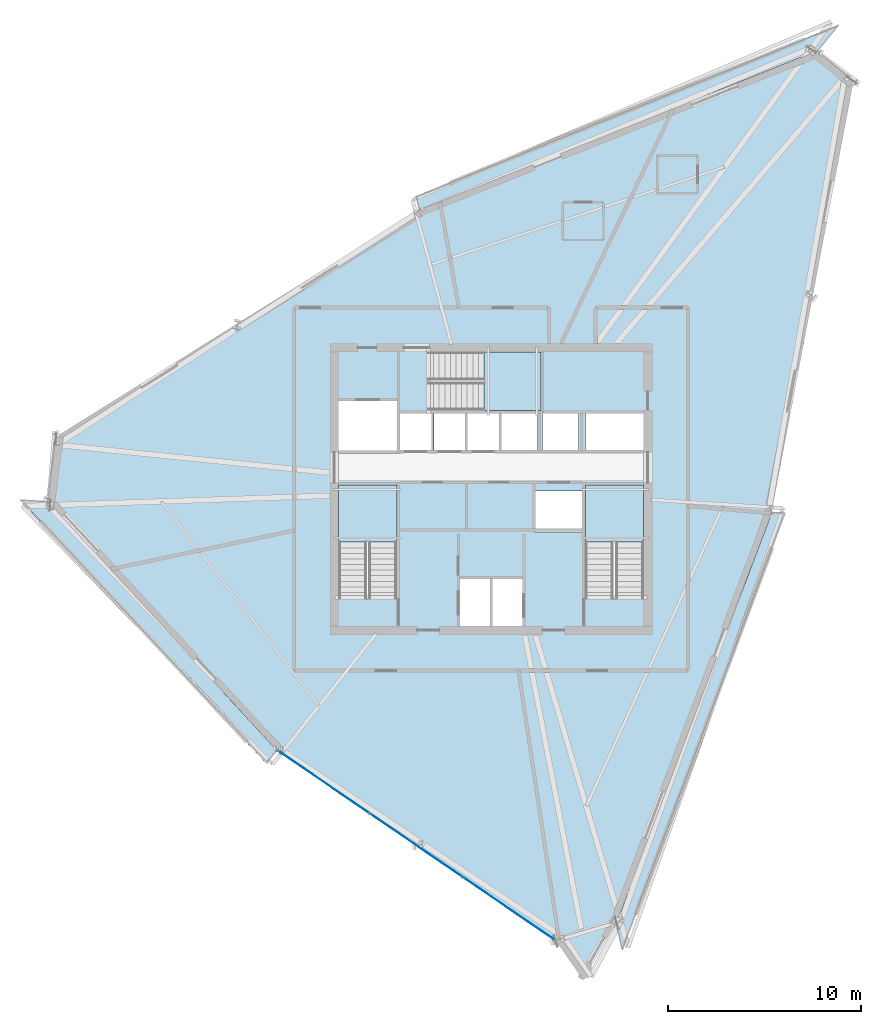
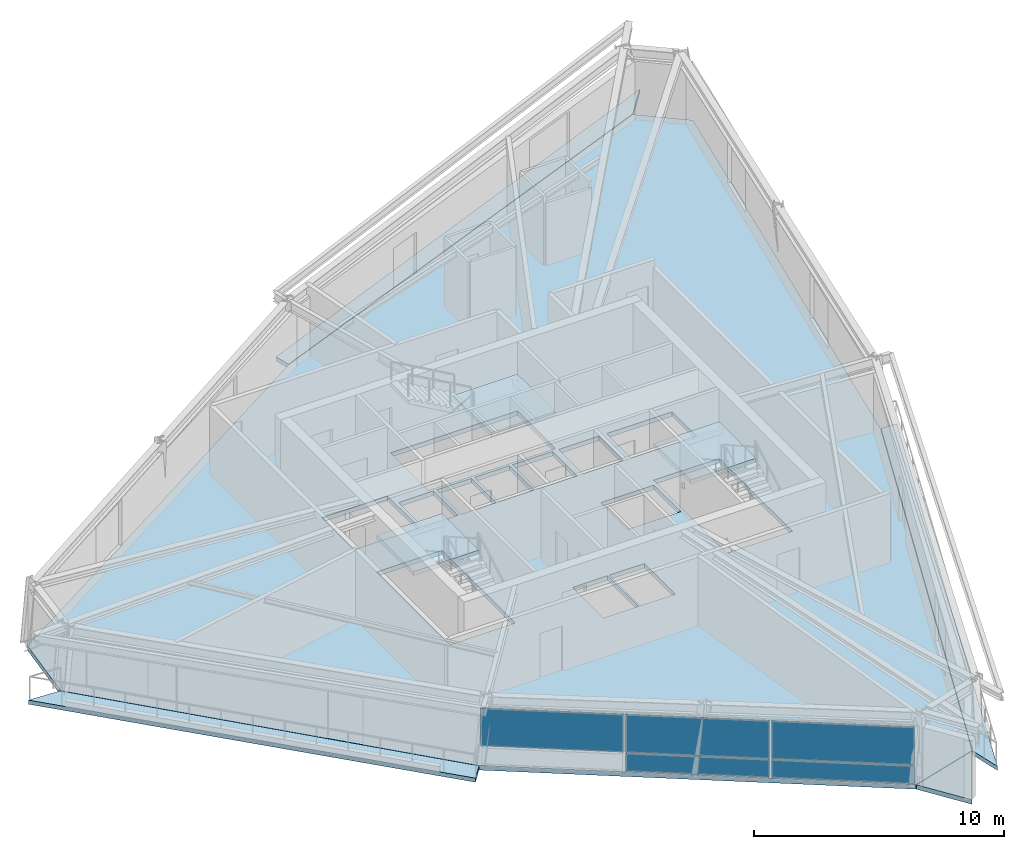
# One storey, part 5 of 13: 8 slabs, 5 plates, 4 elements without a shape of their own.
"""IFC4 building model written with IfcOpenShell, lengths in metres."""

from ifc_helpers import new_model, si_unit, direction, frame, origin, origin_2d, place, context, subcontext, project, spatial, polyline, rectangle, outline, extrude, source, transform, mapped, material, layer, layer_set, type_object, element, aggregate, save


model = new_model("IFC4")

# Units and contexts
model_context = context("Model", 3, precision=1e-05, world=origin(), true_north=direction((0.0, 1.0)))
body_context = subcontext(model_context, "Body", "Model", "MODEL_VIEW")
ifc_project = project(units=[si_unit("LENGTHUNIT", "METRE"), si_unit("AREAUNIT", "SQUARE_METRE"), si_unit("VOLUMEUNIT", "CUBIC_METRE"), si_unit("PLANEANGLEUNIT", "RADIAN"), si_unit("MASSUNIT", "GRAM", prefix="KILO")], contexts=[model_context])

# Site, building, storey
site_placement = place(None, origin())
site = spatial("IfcSite", under=ifc_project, at=site_placement, CompositionType="ELEMENT")
building_placement = place(site_placement, origin())
building = spatial("IfcBuilding", under=site, at=building_placement, Name="Olszyna Solenne Hotel", CompositionType="ELEMENT")
storey_placement = place(building_placement, frame((0.0, 0.0, 241.699951171875)))
storey = spatial("IfcBuildingStorey", under=building, at=storey_placement, Name="L64", CompositionType="ELEMENT", Elevation=241.699951171875)

# Stair, slab
ifc_material_1 = material(Name="Concrete C40/50", Category="concrete")
stair_type = type_object("IfcStairType", Name="STR-C1", PredefinedType="TWO_QUARTER_WINDING_STAIR", material=ifc_material_1)
stair_1_placement = place(storey_placement, origin())
stair_1 = element("IfcStair", 1, at=stair_1_placement, inside=storey, type_object=stair_type, Name="L64 ST1", PredefinedType="TWO_QUARTER_WINDING_STAIR")
ifc_layer_1 = layer(ifc_material_1, 0.18994140625, Name="Concrete C40/50")
ifc_layer_set_1 = layer_set([ifc_layer_1], Name="Concrete C40/50")
slab_type_1 = type_object("IfcSlabType", Name="SL-LN190", PredefinedType="LANDING", material=ifc_layer_set_1)
slab_1_placement = place(storey_placement, frame((0.0, 0.0, 1.60009765625)))
slab_1 = element("IfcSlab", 2, at=slab_1_placement, type_object=slab_type_1, Name="ST1 landing 1", PredefinedType="LANDING", context=body_context, shape_type="SweptSolid", body=[
    extrude(outline(polyline([(33.1201171875, 23.85009765625), (33.1201171875, 26.800048828125), (30.10009765625, 26.800048828125), (30.10009765625, 23.85009765625), (33.1201171875, 23.85009765625)])), origin(), (0.0, 0.0, 1.0), 0.199951171875),
])
aggregate(stair_1, [slab_1])

stair_2_placement = place(storey_placement, origin())
stair_2 = element("IfcStair", 3, at=stair_2_placement, inside=storey, type_object=stair_type, Name="L64 ST2", PredefinedType="TWO_QUARTER_WINDING_STAIR")
slab_2_placement = place(storey_placement, frame((0.0, 0.0, 1.60009765625)))
slab_2 = element("IfcSlab", 4, at=slab_2_placement, type_object=slab_type_1, Name="ST2 landing 1", PredefinedType="LANDING", context=body_context, shape_type="SweptSolid", body=[
    extrude(outline(polyline([(45.89990234375, 23.85009765625), (45.89990234375, 26.800048828125), (42.8798828125, 26.800048828125), (42.8798828125, 23.85009765625), (45.89990234375, 23.85009765625)])), origin(), (0.0, 0.0, 1.0), 0.199951171875),
])
aggregate(stair_2, [slab_2])

stair_3_placement = place(storey_placement, origin())
stair_3 = element("IfcStair", 5, at=stair_3_placement, inside=storey, type_object=stair_type, Name="L64 ST3", PredefinedType="TWO_QUARTER_WINDING_STAIR")
slab_3_placement = place(storey_placement, frame((0.0, 0.0, 1.60009765625)))
slab_3 = element("IfcSlab", 6, at=slab_3_placement, type_object=slab_type_1, Name="ST3 landing 1", PredefinedType="LANDING", context=body_context, shape_type="SweptSolid", body=[
    extrude(outline(polyline([(37.6298828125, 30.679931640625), (40.580078125, 30.679931640625), (40.580078125, 33.699951171875), (37.6298828125, 33.699951171875), (37.6298828125, 30.679931640625)])), origin(), (0.0, 0.0, 1.0), 0.199951171875),
])
aggregate(stair_3, [slab_3])

# Slabs
ifc_material_2 = material(Name="Precast concrete C45/55", Category="concrete")
ifc_layer_2 = layer(ifc_material_2, 0.199951171875, Name="Precast concrete C45/55")
ifc_layer_set_2 = layer_set([ifc_layer_2], Name="Precast concrete C45/55")
slab_type_2 = type_object("IfcSlabType", Name="SL-LOG200", PredefinedType="FLOOR", material=ifc_layer_set_2)
slab_4_placement = place(storey_placement, frame((0.0, 0.0, -0.199951171875)))
element("IfcSlab", 7, at=slab_4_placement, inside=storey, type_object=slab_type_2, Name="Exterior loggia balcony slab SL-L64-LG1", PredefinedType="FLOOR", context=body_context, shape_type="SweptSolid", body=[
    extrude(outline(polyline([(34.275634765625, 41.07373046875), (54.88330078125, 49.29248046875), (54.884521484375, 49.29296875), (54.885986328125, 49.293212890625), (54.887451171875, 49.29345703125), (54.888916015625, 49.293701171875), (54.890380859375, 49.29345703125), (54.891845703125, 49.293212890625), (54.893310546875, 49.29296875), (54.89453125, 49.29248046875), (54.89599609375, 49.291748046875), (54.897216796875, 49.291015625), (54.898193359375, 49.290283203125), (56.013916015625, 50.6591796875), (34.11669921875, 41.78759765625), (34.275634765625, 41.07373046875)])), origin(), (0.0, 0.0, 1.0), 0.199951171875),
])
slab_5_placement = place(storey_placement, frame((0.0, 0.0, -0.199951171875)))
element("IfcSlab", 8, at=slab_5_placement, inside=storey, type_object=slab_type_2, Name="Exterior loggia balcony slab SL-L64-LG2", PredefinedType="FLOOR", context=body_context, shape_type="SweptSolid", body=[
    extrude(outline(polyline([(26.897216796875, 13.0673828125), (26.896728515625, 13.067626953125), (26.8955078125, 13.06884765625), (15.031005859375, 25.9404296875), (15.02978515625, 25.94140625), (15.029052734375, 25.942626953125), (15.0283203125, 25.944091796875), (15.02783203125, 25.9453125), (15.02734375, 25.94677734375), (15.027099609375, 25.947998046875), (15.02685546875, 25.949462890625), (15.02685546875, 25.950927734375), (15.02685546875, 25.951416015625), (13.59228515625, 26.02734375), (26.343994140625, 12.388671875), (26.897216796875, 13.0673828125)])), origin(), (0.0, 0.0, 1.0), 0.199951171875),
])
slab_6_placement = place(storey_placement, frame((0.0, 0.0, -0.199951171875)))
element("IfcSlab", 9, at=slab_6_placement, inside=storey, type_object=slab_type_2, Name="Exterior loggia balcony slab SL-L64-LG3", PredefinedType="FLOOR", context=body_context, shape_type="SweptSolid", body=[
    extrude(outline(polyline([(52.54638671875, 25.39306640625), (52.5458984375, 25.39111328125), (52.545654296875, 25.389892578125), (52.545166015625, 25.388671875), (44.495849609375, 4.1298828125), (44.49560546875, 4.128662109375), (44.494873046875, 4.127685546875), (44.48681640625, 4.113525390625), (44.806640625, 2.677490234375), (53.256103515625, 25.35546875), (52.54638671875, 25.39306640625)])), origin(), (0.0, 0.0, 1.0), 0.199951171875),
])
ifc_material_3 = material(Name="Concrete C50/60", Category="concrete")
ifc_layer_3 = layer(ifc_material_3, 0.219970703125, Name="Concrete C50/60")
ifc_layer_set_3 = layer_set([ifc_layer_3], Name="Concrete C50/60")
slab_type_3 = type_object("IfcSlabType", Name="SL-TW225", PredefinedType="FLOOR", material=ifc_layer_set_3)
slab_7_placement = place(storey_placement, frame((0.0, 0.0, -0.219970703125)))
element("IfcSlab", 10, at=slab_7_placement, inside=storey, type_object=slab_type_3, Name="Floor slab SL-TW225 SL-L64-01", PredefinedType="FLOOR", context=body_context, shape_type="SweptSolid", body=[
    extrude(outline(polyline([(56.776123046875, 47.7255859375), (54.888916015625, 49.278564453125), (34.279052734375, 41.058837890625), (15.45458984375, 29.312744140625), (15.0419921875, 25.95068359375), (26.906494140625, 13.0791015625), (41.356689453125, 3.197509765625), (44.48193359375, 4.135009765625), (52.53125, 25.393798828125), (56.776123046875, 47.7255859375)]), holes=[polyline([(30.10009765625, 20.949951171875), (33.1201171875, 20.949951171875), (33.1201171875, 26.800048828125), (30.10009765625, 26.800048828125), (30.10009765625, 20.949951171875)]), polyline([(42.8798828125, 20.949951171875), (45.89990234375, 20.949951171875), (45.89990234375, 26.800048828125), (42.8798828125, 26.800048828125), (42.8798828125, 20.949951171875)]), polyline([(34.72998046875, 30.679931640625), (40.580078125, 30.679931640625), (40.580078125, 33.699951171875), (34.72998046875, 33.699951171875), (34.72998046875, 30.679931640625)]), polyline([(36.340087890625, 19.5), (37.9599609375, 19.5), (37.9599609375, 21.9599609375), (36.340087890625, 21.9599609375), (36.340087890625, 19.5)]), polyline([(38.0400390625, 19.5), (39.659912109375, 19.5), (39.659912109375, 21.9599609375), (38.0400390625, 21.9599609375), (38.0400390625, 19.5)]), polyline([(30.10009765625, 28.60009765625), (33.1201171875, 28.60009765625), (33.1201171875, 31.159912109375), (30.10009765625, 31.159912109375), (30.10009765625, 28.60009765625)]), polyline([(40.280029296875, 24.360107421875), (42.719970703125, 24.360107421875), (42.719970703125, 26.5), (40.280029296875, 26.5), (40.280029296875, 24.360107421875)]), polyline([(33.280029296875, 28.60009765625), (34.89990234375, 28.60009765625), (34.89990234375, 30.550048828125), (33.280029296875, 30.550048828125), (33.280029296875, 28.60009765625)]), polyline([(35.030029296875, 28.60009765625), (36.64990234375, 28.60009765625), (36.64990234375, 30.550048828125), (35.030029296875, 30.550048828125), (35.030029296875, 28.60009765625)]), polyline([(36.780029296875, 28.60009765625), (38.39990234375, 28.60009765625), (38.39990234375, 30.550048828125), (36.780029296875, 30.550048828125), (36.780029296875, 28.60009765625)]), polyline([(38.530029296875, 28.60009765625), (40.389892578125, 28.60009765625), (40.389892578125, 30.550048828125), (38.530029296875, 30.550048828125), (38.530029296875, 28.60009765625)]), polyline([(40.659912109375, 28.60009765625), (42.52001953125, 28.60009765625), (42.52001953125, 30.550048828125), (40.659912109375, 30.550048828125), (40.659912109375, 28.60009765625)]), polyline([(42.8798828125, 28.60009765625), (45.89990234375, 28.60009765625), (45.89990234375, 30.550048828125), (42.8798828125, 30.550048828125), (42.8798828125, 28.60009765625)])]), origin(), (0.0, 0.0, 1.0), 0.219970703125),
])
slab_8_placement = place(storey_placement, frame((0.0, 0.0, -0.219970703125)))
element("IfcSlab", 11, at=slab_8_placement, inside=storey, type_object=slab_type_3, Name="Faceted glass-prism floor slab SL-L64-PR", PredefinedType="FLOOR", context=body_context, shape_type="SweptSolid", body=[
    extrude(outline(polyline([(44.474609375, 4.12255859375), (41.362548828125, 3.188720703125), (42.76513671875, 1.16650390625), (44.474609375, 4.12255859375)])), origin(), (0.0, 0.0, 1.0), 0.219970703125),
])

# Curtain wall, plates
ifc_material_4 = material(Name="Anodised bronze aluminium", Category="aluminium")
curtain_wall_type = type_object("IfcCurtainWallType", Name="CW-SYS-4", PredefinedType="NOTDEFINED", material=ifc_material_4)
curtain_wall_placement = place(storey_placement, origin())
curtain_wall = element("IfcCurtainWall", 12, at=curtain_wall_placement, inside=storey, type_object=curtain_wall_type, Name="Unitised curtain wall CW-SYS-4 CW-L64-01", PredefinedType="NOTDEFINED")
ifc_material_5 = material(Name="Terracotta cladding", Category="masonry")
plate_type_1 = type_object("IfcPlateType", Name="PN-SP1", PredefinedType="CURTAIN_PANEL", material=ifc_material_5)
shared_shape_1 = source(origin(), body_context, "Body", "SweptSolid", [
    extrude(rectangle(XDim=5.73779296875, YDim=0.035888671875, at=origin_2d()), origin(), (0.0, 0.0, 1.0), 0.8525390625),
])
plate_1_placement = place(storey_placement, frame((38.934814453125, 4.853515625, 0.06494140625), z_axis=(0.0, 0.0, 1.0), x_axis=(0.825446791898, -0.564479932101, 0.0)))
plate_1 = element("IfcPlate", 13, at=plate_1_placement, type_object=plate_type_1, Name="Curtain-wall panel PN-SP1 CP-L64-01-05", PredefinedType="CURTAIN_PANEL", context=body_context, shape_type="MappedRepresentation", body=[
    mapped(shared_shape_1, transform((0.0, 0.0, 0.0), x_axis=(1.0, 0.0, 0.0), y_axis=(0.0, 1.0, 0.0), z_axis=(0.0, 0.0, 1.0), scale=1.0)),
])
ifc_material_6 = material(Name="Low-E triple glazing", Category="glass")
plate_type_2 = type_object("IfcPlateType", Name="PN-GL1", PredefinedType="CURTAIN_PANEL", material=ifc_material_6)
shared_shape_2 = source(origin(), body_context, "Body", "SweptSolid", [
    extrude(rectangle(XDim=5.73779296875, YDim=0.035888671875, at=origin_2d()), origin(), (0.0, 0.0, 1.0), 1.824462890625),
])
plate_2_placement = place(storey_placement, frame((29.328369140625, 11.4228515625, 0.982421875), z_axis=(0.0, 0.0, 1.0), x_axis=(0.825446791898, -0.564479932101, 0.0)))
plate_2 = element("IfcPlate", 14, at=plate_2_placement, type_object=plate_type_2, Name="Curtain-wall panel PN-GL1 CP-L64-01-02", PredefinedType="CURTAIN_PANEL", context=body_context, shape_type="MappedRepresentation", body=[
    mapped(shared_shape_2, transform((0.0, 0.0, 0.0), x_axis=(1.0, 0.0, 0.0), y_axis=(0.0, 1.0, 0.0), z_axis=(0.0, 0.0, 1.0), scale=1.0)),
])
plate_3_placement = place(storey_placement, frame((38.934814453125, 4.853515625, 0.982421875), z_axis=(0.0, 0.0, 1.0), x_axis=(0.825446791898, -0.564479932101, 0.0)))
plate_3 = element("IfcPlate", 15, at=plate_3_placement, type_object=plate_type_2, Name="Curtain-wall panel PN-GL1 CP-L64-01-06", PredefinedType="CURTAIN_PANEL", context=body_context, shape_type="MappedRepresentation", body=[
    mapped(shared_shape_2, transform((0.0, 0.0, 0.0), x_axis=(1.0, 0.0, 0.0), y_axis=(0.0, 1.0, 0.0), z_axis=(0.0, 0.0, 1.0), scale=1.0)),
])
shared_shape_3 = source(origin(), body_context, "Body", "SweptSolid", [
    extrude(rectangle(XDim=5.770263671875, YDim=0.035888671875, at=origin_2d()), origin(), (0.0, 0.0, 1.0), 0.8525390625),
])
plate_4_placement = place(storey_placement, frame((34.131591796875, 8.13818359375, 0.06494140625), z_axis=(0.0, 0.0, 1.0), x_axis=(0.825446791898, -0.564479932101, 0.0)))
plate_4 = element("IfcPlate", 16, at=plate_4_placement, type_object=plate_type_1, Name="Curtain-wall panel PN-SP1 CP-L64-01-03", PredefinedType="CURTAIN_PANEL", context=body_context, shape_type="MappedRepresentation", body=[
    mapped(shared_shape_3, transform((0.0, 0.0, 0.0), x_axis=(1.0, 0.0, 0.0), y_axis=(0.0, 1.0, 0.0), z_axis=(0.0, 0.0, 1.0), scale=1.0)),
])
shared_shape_4 = source(origin(), body_context, "Body", "SweptSolid", [
    extrude(rectangle(XDim=5.770263671875, YDim=0.035888671875, at=origin_2d()), origin(), (0.0, 0.0, 1.0), 1.824462890625),
])
plate_5_placement = place(storey_placement, frame((34.131591796875, 8.13818359375, 0.982421875), z_axis=(0.0, 0.0, 1.0), x_axis=(0.825446791898, -0.564479932101, 0.0)))
plate_5 = element("IfcPlate", 17, at=plate_5_placement, type_object=plate_type_2, Name="Curtain-wall panel PN-GL1 CP-L64-01-04", PredefinedType="CURTAIN_PANEL", context=body_context, shape_type="MappedRepresentation", body=[
    mapped(shared_shape_4, transform((0.0, 0.0, 0.0), x_axis=(1.0, 0.0, 0.0), y_axis=(0.0, 1.0, 0.0), z_axis=(0.0, 0.0, 1.0), scale=1.0)),
])
aggregate(curtain_wall, [plate_2, plate_4, plate_5, plate_1, plate_3])

save(model, "model.ifc")
